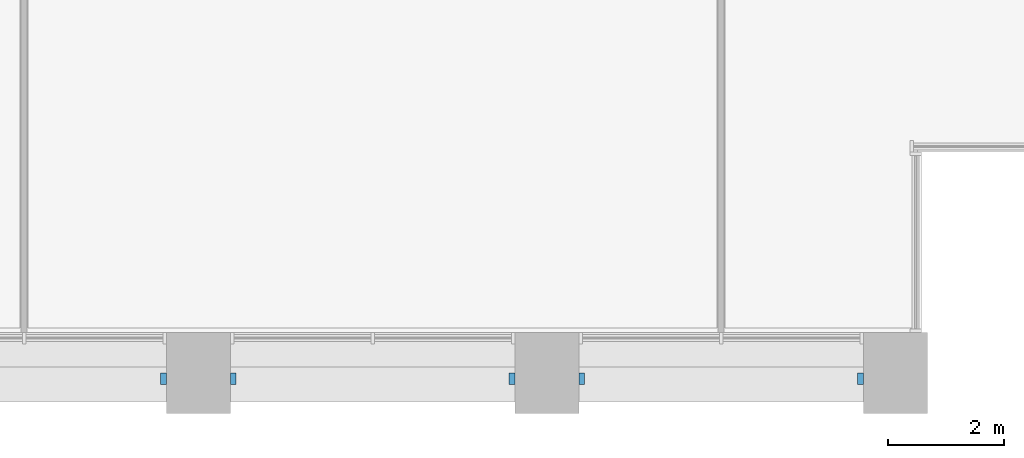
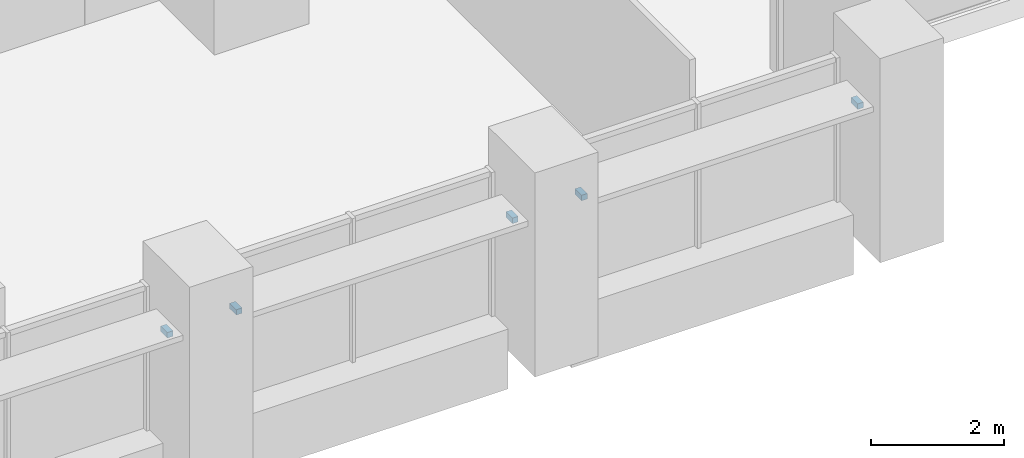
# One storey, part 16 of 18: 5 discrete accessories.
"""IFC4 building model written with IfcOpenShell, lengths in metres."""

from ifc_helpers import new_model, si_unit, direction, frame, origin, origin_2d, place, context, subcontext, project, spatial, rectangle, extrude, element, save


model = new_model("IFC4")

# Units and contexts
model_context = context("Model", 3, precision=1e-05, world=origin(), true_north=direction((0.0, 1.0)))
body_context = subcontext(model_context, "Body", "Model", "MODEL_VIEW")
ifc_project = project(units=[si_unit("LENGTHUNIT", "METRE"), si_unit("AREAUNIT", "SQUARE_METRE"), si_unit("VOLUMEUNIT", "CUBIC_METRE"), si_unit("PLANEANGLEUNIT", "RADIAN"), si_unit("MASSUNIT", "GRAM", prefix="KILO")], contexts=[model_context])

# Site, building, storey
site_placement = place(None, origin())
site = spatial("IfcSite", under=ifc_project, at=site_placement, CompositionType="ELEMENT")
building_placement = place(site_placement, origin())
building = spatial("IfcBuilding", under=site, at=building_placement, Name="Calvaro Tower", CompositionType="ELEMENT")
storey_placement = place(building_placement, frame((0.0, 0.0, 60.0)))
storey = spatial("IfcBuildingStorey", under=building, at=storey_placement, Name="L14", CompositionType="ELEMENT", Elevation=60.0)

# Discrete accessories
for number, where, z_axis, x_axis, name in (
    (1, (59.39990234375, 0.60009765625, 2.14990234375), (0.0, 0.0, 1.0), (1.0, 0.0, 0.0), "Brise-soleil bracket"),
    (2, (60.60009765625, 0.60009765625, 2.14990234375), (0.0, 0.0, 1.0), (1.0, 0.0, 0.0), "Brise-soleil bracket"),
    (3, (65.39990234375, 0.60009765625, 2.14990234375), (0.0, 0.0, 1.0), (1.0, 0.0, 0.0), "Brise-soleil bracket"),
    (4, (66.60009765625, 0.60009765625, 2.14990234375), (0.0, 0.0, 1.0), (1.0, 0.0, 0.0), "Brise-soleil bracket"),
    (5, (71.39990234375, 0.60009765625, 2.14990234375), (0.0, 0.0, 1.0), (1.0, 0.0, 0.0), "Brise-soleil bracket"),
):
    element("IfcDiscreteAccessory", number, at=place(storey_placement, frame(where, z_axis=z_axis, x_axis=x_axis)), inside=storey, Name=name, PredefinedType="BRACKET", context=body_context, shape_type="SweptSolid", body=[
        extrude(rectangle(XDim=0.10009765625, YDim=0.199951171875, at=origin_2d()), origin(), (0.0, 0.0, 1.0), 0.10009765625),
    ])

save(model, "model.ifc")
